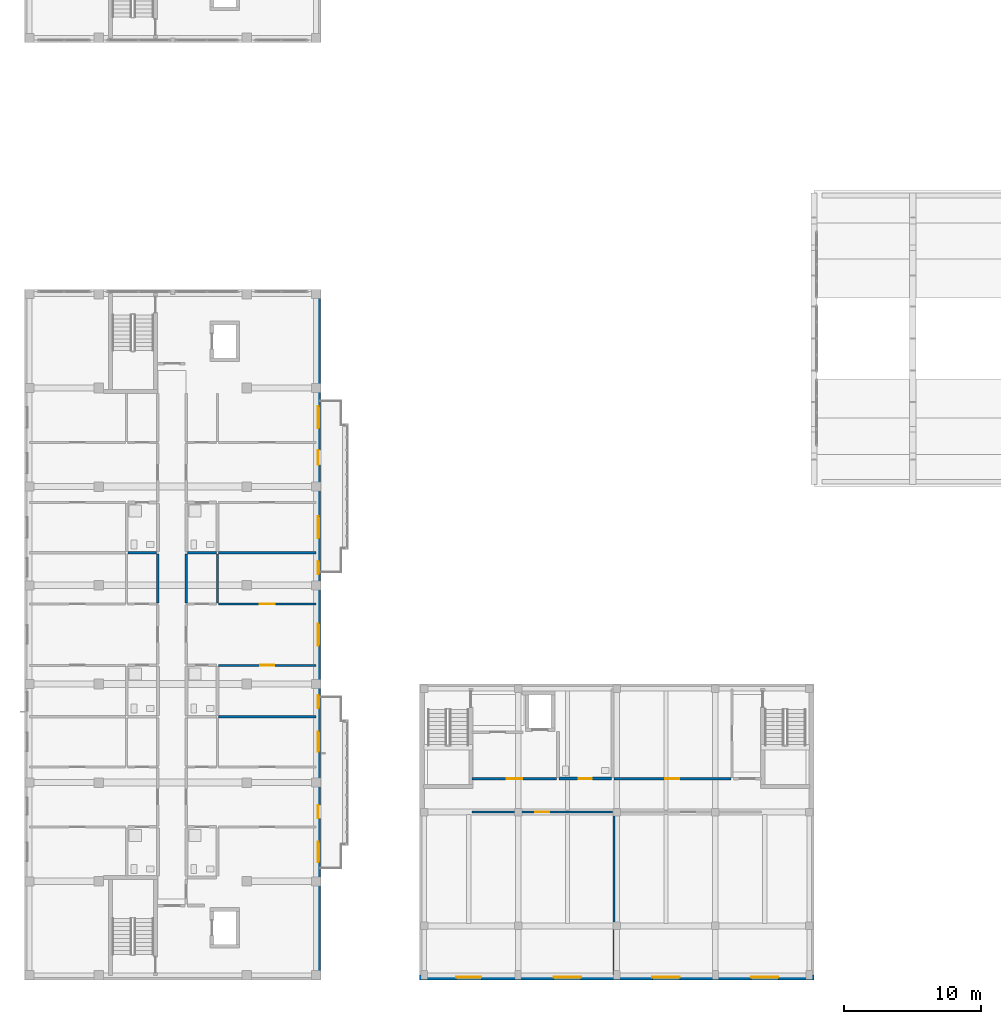
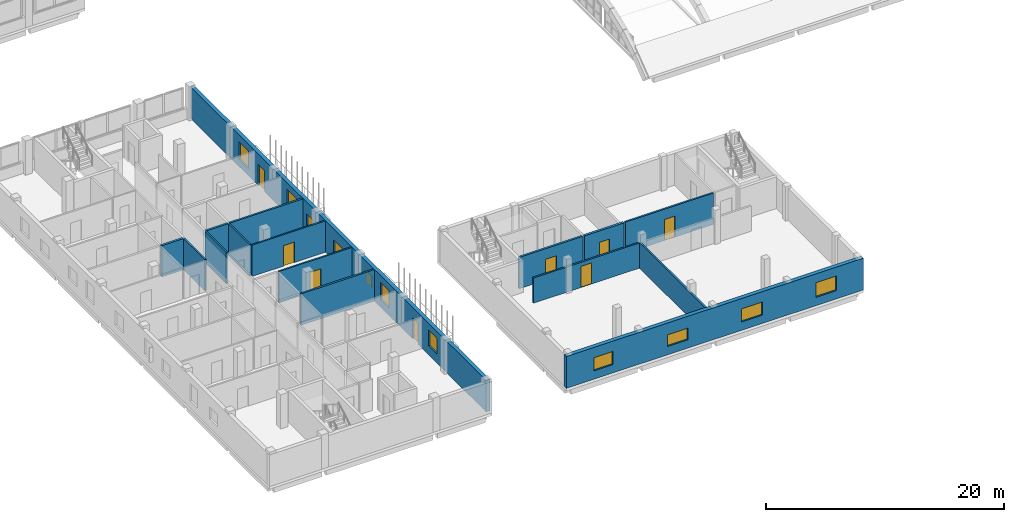
# One storey, part 37 of 73: 16 walls, 11 windows, 8 doors, 19 openings.
"""IFC4 building model written with IfcOpenShell, lengths in metres."""

from ifc_helpers import new_model, si_unit, derived_unit, direction, frame, frame_2d, origin, place, context, subcontext, project, spatial, rectangle, extrude, material, layer, layer_set, type_object, element, fill, save


model = new_model("IFC4")

# Units and contexts
model_context = context("Model", 3, precision=1e-05, world=origin(), true_north=direction((0.0, 1.0)))
body_context = subcontext(model_context, "Body", "Model", "MODEL_VIEW")
ifc_project = project(units=[si_unit("LENGTHUNIT", "METRE"), si_unit("AREAUNIT", "SQUARE_METRE"), si_unit("VOLUMEUNIT", "CUBIC_METRE"), si_unit("PLANEANGLEUNIT", "RADIAN"), si_unit("MASSUNIT", "GRAM", prefix="KILO"), derived_unit("THERMALTRANSMITTANCEUNIT", [(si_unit("MASSUNIT", "GRAM", prefix="KILO"), 1), (si_unit("TIMEUNIT", "SECOND"), -3), (si_unit("THERMODYNAMICTEMPERATUREUNIT", "KELVIN"), -1)])], contexts=[model_context])

# Site, building, storey
site_placement = place(None, origin())
site = spatial("IfcSite", under=ifc_project, at=site_placement, CompositionType="ELEMENT")
building_placement = place(site_placement, origin())
building = spatial("IfcBuilding", under=site, at=building_placement, Name="Ochrekiln Boulevard Commons", CompositionType="ELEMENT")
storey_placement = place(building_placement, frame((0.0, 0.0, 8.574951171875)))
storey = spatial("IfcBuildingStorey", under=building, at=storey_placement, Name="L02", CompositionType="ELEMENT", Elevation=8.574951171875)

# Wall, openings, windows
ifc_material_1 = material(Name="Desert ochre clinker brick masonry ASTM C216 Grade SW", Category="masonry")
ifc_layer_1 = layer(ifc_material_1, 0.3798828125)
ifc_layer_set_1 = layer_set([ifc_layer_1], Name="Desert ochre clinker brick masonry ASTM C216 Grade SW")
wall_type_1 = type_object("IfcWallType", Name="WL-EXT-ARC-380", PredefinedType="SOLIDWALL", material=ifc_layer_set_1)
wall_1_placement = place(storey_placement, frame((28.800048828125, 0.18994140625, 0.0), z_axis=(0.0, 0.0, 1.0), x_axis=(1.0, 0.0, 0.0)))
wall_1 = element("IfcWall", 1, at=wall_1_placement, inside=storey, type_object=wall_type_1, Name="West Boulevard Arcade L02 S Exterior Wall", PredefinedType="SOLIDWALL", context=body_context, shape_type="SweptSolid", body=[
    extrude(rectangle(XDim=28.800048828125, YDim=0.3798828125, at=frame_2d((14.39990234375, 0.0))), origin(), (0.0, 0.0, 1.0), 3.260009765625),
])
opening_1_placement = place(wall_1_placement, frame((2.675048828125, 0.0, 0.85009765625)))
opening_1 = element("IfcOpeningElement", 2, at=opening_1_placement, cuts=wall_1, Name="Opening W-42", PredefinedType="OPENING", context=body_context, shape_type="SweptSolid", body=[
    extrude(rectangle(XDim=1.85009765625, YDim=1.35009765625, at=frame_2d((0.925048828125, 0.675048828125))), frame((0.0, 0.199951171875, 0.0), z_axis=(0.0, -1.0, 0.0), x_axis=(1.0, 0.0, 0.0)), (0.0, 0.0, 1.0), 0.39990234375),
])
opening_2_placement = place(wall_1_placement, frame((9.800048828125, 0.0, 0.85009765625)))
opening_2 = element("IfcOpeningElement", 3, at=opening_2_placement, cuts=wall_1, Name="Opening W-46", PredefinedType="OPENING", context=body_context, shape_type="SweptSolid", body=[
    extrude(rectangle(XDim=2.0, YDim=1.199951171875, at=frame_2d((1.0, 0.60009765625))), frame((0.0, 0.199951171875, 0.0), z_axis=(0.0, -1.0, 0.0), x_axis=(1.0, 0.0, 0.0)), (0.0, 0.0, 1.0), 0.39990234375),
])
opening_3_placement = place(wall_1_placement, frame((17.0, 0.0, 0.85009765625)))
opening_3 = element("IfcOpeningElement", 4, at=opening_3_placement, cuts=wall_1, Name="Opening W-47", PredefinedType="OPENING", context=body_context, shape_type="SweptSolid", body=[
    extrude(rectangle(XDim=2.0, YDim=1.35009765625, at=frame_2d((1.0, 0.675048828125))), frame((0.0, 0.199951171875, 0.0), z_axis=(0.0, -1.0, 0.0), x_axis=(1.0, 0.0, 0.0)), (0.0, 0.0, 1.0), 0.39990234375),
])
opening_4_placement = place(wall_1_placement, frame((24.199951171875, 0.0, 0.85009765625)))
opening_4 = element("IfcOpeningElement", 5, at=opening_4_placement, cuts=wall_1, Name="Opening W-48", PredefinedType="OPENING", context=body_context, shape_type="SweptSolid", body=[
    extrude(rectangle(XDim=2.0, YDim=1.5, at=frame_2d((1.0, 0.75))), frame((0.0, 0.199951171875, 0.0), z_axis=(0.0, -1.0, 0.0), x_axis=(1.0, 0.0, 0.0)), (0.0, 0.0, 1.0), 0.39990234375),
])
ifc_material_2 = material(Name="Thermally broken aluminium-clad oak frame", Category="aluminium")
window_type_1 = type_object("IfcWindowType", Name="WIN-EXT-42", PartitioningType="DOUBLE_PANEL_VERTICAL", PredefinedType="WINDOW", material=ifc_material_2)
window_1_placement = place(opening_1_placement, origin())
window_1 = element("IfcWindow", 6, at=window_1_placement, inside=storey, type_object=window_type_1, Name="West Boulevard Arcade L02 Boulevard Ribbon Window 1", OverallHeight=1.35009765625, OverallWidth=1.85009765625, PartitioningType="DOUBLE_PANEL_VERTICAL", PredefinedType="WINDOW", context=body_context, shape_type="SweptSolid", body=[
    extrude(rectangle(XDim=1.85009765625, YDim=1.35009765625, at=frame_2d((0.925048828125, 0.675048828125))), frame((0.0, 0.030029296875, 0.0), z_axis=(0.0, -1.0, 0.0), x_axis=(1.0, 0.0, 0.0)), (0.0, 0.0, 1.0), 0.06005859375),
])
fill(opening_1, window_1)
window_type_2 = type_object("IfcWindowType", Name="WIN-EXT-46", PartitioningType="DOUBLE_PANEL_VERTICAL", PredefinedType="WINDOW", material=ifc_material_2)
window_2_placement = place(opening_2_placement, origin())
window_2 = element("IfcWindow", 7, at=window_2_placement, inside=storey, type_object=window_type_2, Name="West Boulevard Arcade L02 Boulevard Ribbon Window 2", OverallHeight=1.199951171875, OverallWidth=2.0, PartitioningType="DOUBLE_PANEL_VERTICAL", PredefinedType="WINDOW", context=body_context, shape_type="SweptSolid", body=[
    extrude(rectangle(XDim=2.0, YDim=1.199951171875, at=frame_2d((1.0, 0.60009765625))), frame((0.0, 0.030029296875, 0.0), z_axis=(0.0, -1.0, 0.0), x_axis=(1.0, 0.0, 0.0)), (0.0, 0.0, 1.0), 0.06005859375),
])
fill(opening_2, window_2)
window_type_3 = type_object("IfcWindowType", Name="WIN-EXT-47", PartitioningType="DOUBLE_PANEL_VERTICAL", PredefinedType="WINDOW", material=ifc_material_2)
window_3_placement = place(opening_3_placement, origin())
window_3 = element("IfcWindow", 8, at=window_3_placement, inside=storey, type_object=window_type_3, Name="West Boulevard Arcade L02 Boulevard Ribbon Window 3", OverallHeight=1.35009765625, OverallWidth=2.0, PartitioningType="DOUBLE_PANEL_VERTICAL", PredefinedType="WINDOW", context=body_context, shape_type="SweptSolid", body=[
    extrude(rectangle(XDim=2.0, YDim=1.35009765625, at=frame_2d((1.0, 0.675048828125))), frame((0.0, 0.030029296875, 0.0), z_axis=(0.0, -1.0, 0.0), x_axis=(1.0, 0.0, 0.0)), (0.0, 0.0, 1.0), 0.06005859375),
])
fill(opening_3, window_3)
window_type_4 = type_object("IfcWindowType", Name="WIN-EXT-48", PartitioningType="DOUBLE_PANEL_VERTICAL", PredefinedType="WINDOW", material=ifc_material_2)
window_4_placement = place(opening_4_placement, origin())
window_4 = element("IfcWindow", 9, at=window_4_placement, inside=storey, type_object=window_type_4, Name="West Boulevard Arcade L02 Boulevard Ribbon Window 4", OverallHeight=1.5, OverallWidth=2.0, PartitioningType="DOUBLE_PANEL_VERTICAL", PredefinedType="WINDOW", context=body_context, shape_type="SweptSolid", body=[
    extrude(rectangle(XDim=2.0, YDim=1.5, at=frame_2d((1.0, 0.75))), frame((0.0, 0.030029296875, 0.0), z_axis=(0.0, -1.0, 0.0), x_axis=(1.0, 0.0, 0.0)), (0.0, 0.0, 1.0), 0.06005859375),
])
fill(opening_4, window_4)

# Wall, openings, doors, windows
ifc_material_3 = material(Name="Iron-spot brown clinker brick masonry ASTM C216 Grade SW", Category="masonry")
ifc_layer_2 = layer(ifc_material_3, 0.364990234375)
ifc_layer_set_2 = layer_set([ifc_layer_2], Name="Iron-spot brown clinker brick masonry ASTM C216 Grade SW")
wall_type_2 = type_object("IfcWallType", Name="WL-EXT-IRON-365", PredefinedType="SOLIDWALL", material=ifc_layer_set_2)
wall_2_placement = place(storey_placement, frame((21.41748046875, 0.364990234375, 0.0), z_axis=(0.0, 0.0, 1.0), x_axis=(0.0, 1.0, 0.0)))
wall_2 = element("IfcWall", 10, at=wall_2_placement, inside=storey, type_object=wall_type_2, Name="Block D L02 E Exterior Wall", PredefinedType="SOLIDWALL", context=body_context, shape_type="SweptSolid", body=[
    extrude(rectangle(XDim=49.669921875, YDim=0.364990234375, at=frame_2d((24.8349609375, 0.0))), origin(), (0.0, 0.0, 1.0), 3.239990234375),
])
opening_5_placement = place(wall_2_placement, frame((11.43603515625, 0.0, 0.0)))
opening_5 = element("IfcOpeningElement", 11, at=opening_5_placement, cuts=wall_2, Name="Opening D-L02-BL041", PredefinedType="OPENING", context=body_context, shape_type="SweptSolid", body=[
    extrude(rectangle(XDim=0.949951171875, YDim=2.14990234375, at=frame_2d((0.47509765625, 1.074951171875))), frame((0.0, 0.1923828125, 0.0), z_axis=(0.0, -1.0, 0.0), x_axis=(1.0, 0.0, 0.0)), (0.0, 0.0, 1.0), 0.385009765625),
])
opening_6_placement = place(wall_2_placement, frame((8.240966796875, 0.0, 0.89990234375)))
opening_6 = element("IfcOpeningElement", 12, at=opening_6_placement, cuts=wall_2, Name="Opening W-29", PredefinedType="OPENING", context=body_context, shape_type="SweptSolid", body=[
    extrude(rectangle(XDim=1.47998046875, YDim=1.64990234375, at=frame_2d((0.739990234375, 0.824951171875))), frame((0.0, 0.1923828125, 0.0), z_axis=(0.0, -1.0, 0.0), x_axis=(1.0, 0.0, 0.0)), (0.0, 0.0, 1.0), 0.385009765625),
])
opening_7_placement = place(wall_2_placement, frame((16.27490234375, 0.0, 0.7548828125)))
opening_7 = element("IfcOpeningElement", 13, at=opening_7_placement, cuts=wall_2, Name="Opening W-30", PredefinedType="OPENING", context=body_context, shape_type="SweptSolid", body=[
    extrude(rectangle(XDim=1.47998046875, YDim=1.800048828125, at=frame_2d((0.739990234375, 0.89990234375))), frame((0.0, 0.1923828125, 0.0), z_axis=(0.0, -1.0, 0.0), x_axis=(1.0, 0.0, 0.0)), (0.0, 0.0, 1.0), 0.385009765625),
])
opening_8_placement = place(wall_2_placement, frame((24.034912109375, 0.0, 0.89990234375)))
opening_8 = element("IfcOpeningElement", 14, at=opening_8_placement, cuts=wall_2, Name="Opening W-31", PredefinedType="OPENING", context=body_context, shape_type="SweptSolid", body=[
    extrude(rectangle(XDim=1.60009765625, YDim=1.199951171875, at=frame_2d((0.800048828125, 0.60009765625))), frame((0.0, 0.1923828125, 0.0), z_axis=(0.0, -1.0, 0.0), x_axis=(1.0, 0.0, 0.0)), (0.0, 0.0, 1.0), 0.385009765625),
])
opening_9_placement = place(wall_2_placement, frame((19.47802734375, 0.0, 0.85009765625)))
opening_9 = element("IfcOpeningElement", 15, at=opening_9_placement, cuts=wall_2, Name="Opening W-01", PredefinedType="OPENING", context=body_context, shape_type="SweptSolid", body=[
    extrude(rectangle(XDim=0.949951171875, YDim=1.199951171875, at=frame_2d((0.47509765625, 0.60009765625))), frame((0.0, 0.1923828125, 0.0), z_axis=(0.0, -1.0, 0.0), x_axis=(1.0, 0.0, 0.0)), (0.0, 0.0, 1.0), 0.385009765625),
])
opening_10_placement = place(wall_2_placement, frame((29.241943359375, 0.0, 0.85009765625)))
opening_10 = element("IfcOpeningElement", 16, at=opening_10_placement, cuts=wall_2, Name="Opening W-01", PredefinedType="OPENING", context=body_context, shape_type="SweptSolid", body=[
    extrude(rectangle(XDim=0.949951171875, YDim=1.199951171875, at=frame_2d((0.47509765625, 0.60009765625))), frame((0.0, 0.1923828125, 0.0), z_axis=(0.0, -1.0, 0.0), x_axis=(1.0, 0.0, 0.0)), (0.0, 0.0, 1.0), 0.385009765625),
])
opening_11_placement = place(wall_2_placement, frame((37.218017578125, 0.0, 0.0)))
opening_11 = element("IfcOpeningElement", 17, at=opening_11_placement, cuts=wall_2, Name="Opening D-L02-BL042", PredefinedType="OPENING", context=body_context, shape_type="SweptSolid", body=[
    extrude(rectangle(XDim=1.080078125, YDim=2.179931640625, at=frame_2d((0.5400390625, 1.08984375))), frame((0.0, 0.1923828125, 0.0), z_axis=(0.0, -1.0, 0.0), x_axis=(1.0, 0.0, 0.0)), (0.0, 0.0, 1.0), 0.385009765625),
])
opening_12_placement = place(wall_2_placement, frame((31.85595703125, 0.0, 0.89990234375)))
opening_12 = element("IfcOpeningElement", 18, at=opening_12_placement, cuts=wall_2, Name="Opening W-34", PredefinedType="OPENING", context=body_context, shape_type="SweptSolid", body=[
    extrude(rectangle(XDim=1.60009765625, YDim=1.64990234375, at=frame_2d((0.800048828125, 0.824951171875))), frame((0.0, 0.1923828125, 0.0), z_axis=(0.0, -1.0, 0.0), x_axis=(1.0, 0.0, 0.0)), (0.0, 0.0, 1.0), 0.385009765625),
])
opening_13_placement = place(wall_2_placement, frame((39.888916015625, 0.0, 0.7548828125)))
opening_13 = element("IfcOpeningElement", 19, at=opening_13_placement, cuts=wall_2, Name="Opening W-35", PredefinedType="OPENING", context=body_context, shape_type="SweptSolid", body=[
    extrude(rectangle(XDim=1.60009765625, YDim=1.800048828125, at=frame_2d((0.800048828125, 0.89990234375))), frame((0.0, 0.1923828125, 0.0), z_axis=(0.0, -1.0, 0.0), x_axis=(1.0, 0.0, 0.0)), (0.0, 0.0, 1.0), 0.385009765625),
])
door_type_1 = type_object("IfcDoorType", Name="DR-EXT-BAL-095", OperationType="NOTDEFINED", PredefinedType="DOOR", material=ifc_material_2)
door_1_placement = place(opening_5_placement, frame((0.949951171875, 0.0, 0.0), z_axis=(0.0, 0.0, 1.0), x_axis=(-1.0, 0.0, 0.0)))
door_1 = element("IfcDoor", 20, at=door_1_placement, inside=storey, type_object=door_type_1, Name="Block D L02 Glazed Balcony Patio Door", OperationType="SINGLE_SWING_RIGHT", OverallHeight=2.14990234375, OverallWidth=0.949951171875, PredefinedType="DOOR", context=body_context, shape_type="SweptSolid", body=[
    extrude(rectangle(XDim=0.949951171875, YDim=2.14990234375, at=frame_2d((0.47509765625, 1.074951171875))), frame((0.0, 0.02490234375, 0.0), z_axis=(0.0, -1.0, 0.0), x_axis=(1.0, 0.0, 0.0)), (0.0, 0.0, 1.0), 0.050048828125),
])
fill(opening_5, door_1)
door_type_2 = type_object("IfcDoorType", Name="DR-EXT-BAL-108", OperationType="NOTDEFINED", PredefinedType="DOOR", material=ifc_material_2)
door_2_placement = place(opening_11_placement, frame((1.080078125, 0.0, 0.0), z_axis=(0.0, 0.0, 1.0), x_axis=(-1.0, 0.0, 0.0)))
door_2 = element("IfcDoor", 21, at=door_2_placement, inside=storey, type_object=door_type_2, Name="Block D L02 Glazed Balcony Patio Door", OperationType="SINGLE_SWING_LEFT", OverallHeight=2.179931640625, OverallWidth=1.080078125, PredefinedType="DOOR", context=body_context, shape_type="SweptSolid", body=[
    extrude(rectangle(XDim=1.080078125, YDim=2.179931640625, at=frame_2d((0.5400390625, 1.08984375))), frame((0.0, 0.02490234375, 0.0), z_axis=(0.0, -1.0, 0.0), x_axis=(1.0, 0.0, 0.0)), (0.0, 0.0, 1.0), 0.050048828125),
])
fill(opening_11, door_2)
window_type_5 = type_object("IfcWindowType", Name="WIN-EXT-01", PartitioningType="SINGLE_PANEL", PredefinedType="WINDOW", material=ifc_material_2)
window_5_placement = place(opening_9_placement, origin())
window_5 = element("IfcWindow", 22, at=window_5_placement, inside=storey, type_object=window_type_5, Name="Block D L02 Punched Masonry Window W-01", OverallHeight=1.199951171875, OverallWidth=0.949951171875, PartitioningType="SINGLE_PANEL", PredefinedType="WINDOW", context=body_context, shape_type="SweptSolid", body=[
    extrude(rectangle(XDim=0.949951171875, YDim=1.199951171875, at=frame_2d((0.47509765625, 0.60009765625))), frame((0.0, 0.030029296875, 0.0), z_axis=(0.0, -1.0, 0.0), x_axis=(1.0, 0.0, 0.0)), (0.0, 0.0, 1.0), 0.06005859375),
])
fill(opening_9, window_5)
window_6_placement = place(opening_10_placement, origin())
window_6 = element("IfcWindow", 23, at=window_6_placement, inside=storey, type_object=window_type_5, Name="Block D L02 Punched Masonry Window W-01", OverallHeight=1.199951171875, OverallWidth=0.949951171875, PartitioningType="SINGLE_PANEL", PredefinedType="WINDOW", context=body_context, shape_type="SweptSolid", body=[
    extrude(rectangle(XDim=0.949951171875, YDim=1.199951171875, at=frame_2d((0.47509765625, 0.60009765625))), frame((0.0, 0.030029296875, 0.0), z_axis=(0.0, -1.0, 0.0), x_axis=(1.0, 0.0, 0.0)), (0.0, 0.0, 1.0), 0.06005859375),
])
fill(opening_10, window_6)
window_type_6 = type_object("IfcWindowType", Name="WIN-EXT-29", PartitioningType="SINGLE_PANEL", PredefinedType="WINDOW", material=ifc_material_2)
window_7_placement = place(opening_6_placement, origin())
window_7 = element("IfcWindow", 24, at=window_7_placement, inside=storey, type_object=window_type_6, Name="Block D L02 Punched Masonry Window W-29", OverallHeight=1.64990234375, OverallWidth=1.47998046875, PartitioningType="SINGLE_PANEL", PredefinedType="WINDOW", context=body_context, shape_type="SweptSolid", body=[
    extrude(rectangle(XDim=1.47998046875, YDim=1.64990234375, at=frame_2d((0.739990234375, 0.824951171875))), frame((0.0, 0.030029296875, 0.0), z_axis=(0.0, -1.0, 0.0), x_axis=(1.0, 0.0, 0.0)), (0.0, 0.0, 1.0), 0.06005859375),
])
fill(opening_6, window_7)
window_type_7 = type_object("IfcWindowType", Name="WIN-EXT-30", PartitioningType="SINGLE_PANEL", PredefinedType="WINDOW", material=ifc_material_2)
window_8_placement = place(opening_7_placement, origin())
window_8 = element("IfcWindow", 25, at=window_8_placement, inside=storey, type_object=window_type_7, Name="Block D L02 Punched Masonry Window W-30", OverallHeight=1.800048828125, OverallWidth=1.47998046875, PartitioningType="SINGLE_PANEL", PredefinedType="WINDOW", context=body_context, shape_type="SweptSolid", body=[
    extrude(rectangle(XDim=1.47998046875, YDim=1.800048828125, at=frame_2d((0.739990234375, 0.89990234375))), frame((0.0, 0.030029296875, 0.0), z_axis=(0.0, -1.0, 0.0), x_axis=(1.0, 0.0, 0.0)), (0.0, 0.0, 1.0), 0.06005859375),
])
fill(opening_7, window_8)
window_type_8 = type_object("IfcWindowType", Name="WIN-EXT-31", PartitioningType="DOUBLE_PANEL_VERTICAL", PredefinedType="WINDOW", material=ifc_material_2)
window_9_placement = place(opening_8_placement, origin())
window_9 = element("IfcWindow", 26, at=window_9_placement, inside=storey, type_object=window_type_8, Name="Block D L02 Punched Masonry Window W-31", OverallHeight=1.199951171875, OverallWidth=1.60009765625, PartitioningType="DOUBLE_PANEL_VERTICAL", PredefinedType="WINDOW", context=body_context, shape_type="SweptSolid", body=[
    extrude(rectangle(XDim=1.60009765625, YDim=1.199951171875, at=frame_2d((0.800048828125, 0.60009765625))), frame((0.0, 0.030029296875, 0.0), z_axis=(0.0, -1.0, 0.0), x_axis=(1.0, 0.0, 0.0)), (0.0, 0.0, 1.0), 0.06005859375),
])
fill(opening_8, window_9)
window_type_9 = type_object("IfcWindowType", Name="WIN-EXT-34", PartitioningType="DOUBLE_PANEL_VERTICAL", PredefinedType="WINDOW", material=ifc_material_2)
window_10_placement = place(opening_12_placement, origin())
window_10 = element("IfcWindow", 27, at=window_10_placement, inside=storey, type_object=window_type_9, Name="Block D L02 Punched Masonry Window W-34", OverallHeight=1.64990234375, OverallWidth=1.60009765625, PartitioningType="DOUBLE_PANEL_VERTICAL", PredefinedType="WINDOW", context=body_context, shape_type="SweptSolid", body=[
    extrude(rectangle(XDim=1.60009765625, YDim=1.64990234375, at=frame_2d((0.800048828125, 0.824951171875))), frame((0.0, 0.030029296875, 0.0), z_axis=(0.0, -1.0, 0.0), x_axis=(1.0, 0.0, 0.0)), (0.0, 0.0, 1.0), 0.06005859375),
])
fill(opening_12, window_10)
window_type_10 = type_object("IfcWindowType", Name="WIN-EXT-35", PartitioningType="DOUBLE_PANEL_VERTICAL", PredefinedType="WINDOW", material=ifc_material_2)
window_11_placement = place(opening_13_placement, origin())
window_11 = element("IfcWindow", 28, at=window_11_placement, inside=storey, type_object=window_type_10, Name="Block D L02 Punched Masonry Window W-35", OverallHeight=1.800048828125, OverallWidth=1.60009765625, PartitioningType="DOUBLE_PANEL_VERTICAL", PredefinedType="WINDOW", context=body_context, shape_type="SweptSolid", body=[
    extrude(rectangle(XDim=1.60009765625, YDim=1.800048828125, at=frame_2d((0.800048828125, 0.89990234375))), frame((0.0, 0.030029296875, 0.0), z_axis=(0.0, -1.0, 0.0), x_axis=(1.0, 0.0, 0.0)), (0.0, 0.0, 1.0), 0.06005859375),
])
fill(opening_13, window_11)

# Walls
ifc_material_4 = material(Name="Moisture-resistant cementitious tile backer wall")
ifc_layer_3 = layer(ifc_material_4, 0.199951171875)
ifc_layer_set_3 = layer_set([ifc_layer_3], Name="Moisture-resistant cementitious tile backer wall")
wall_type_3 = type_object("IfcWallType", Name="WL-PLM-200", PredefinedType="PLUMBINGWALL", material=ifc_layer_set_3)
wall_3_placement = place(storey_placement, frame((7.52001953125, 31.18408203125, 0.0), z_axis=(0.0, 0.0, 1.0), x_axis=(1.0, 0.0, 0.0)))
element("IfcWall", 29, at=wall_3_placement, inside=storey, type_object=wall_type_3, Name="L02 Interior Wall W-PW200", PredefinedType="PLUMBINGWALL", context=body_context, shape_type="SweptSolid", body=[
    extrude(rectangle(XDim=2.10791015625, YDim=0.199951171875, at=frame_2d((1.053955078125, 0.0))), origin(), (0.0, 0.0, 1.0), 3.219970703125),
])
wall_4_placement = place(storey_placement, frame((11.8720703125, 31.18408203125, 0.0), z_axis=(0.0, 0.0, 1.0), x_axis=(1.0, 0.0, 0.0)))
element("IfcWall", 30, at=wall_4_placement, inside=storey, type_object=wall_type_3, Name="L02 Interior Wall W-PW200", PredefinedType="PLUMBINGWALL", context=body_context, shape_type="SweptSolid", body=[
    extrude(rectangle(XDim=2.113037109375, YDim=0.199951171875, at=frame_2d((1.056640625, 0.0))), origin(), (0.0, 0.0, 1.0), 3.219970703125),
])

# Wall, opening, door
ifc_layer_4 = layer(ifc_material_4, 0.219970703125)
ifc_layer_set_4 = layer_set([ifc_layer_4], Name="Moisture-resistant cementitious tile backer wall")
wall_type_4 = type_object("IfcWallType", Name="WL-PLM-220", PredefinedType="PLUMBINGWALL", material=ifc_layer_set_4)
wall_5_placement = place(storey_placement, frame((39.0, 14.68994140625, 0.0), z_axis=(0.0, 0.0, 1.0), x_axis=(1.0, 0.0, 0.0)))
wall_5 = element("IfcWall", 31, at=wall_5_placement, inside=storey, type_object=wall_type_4, Name="L02 Interior Wall W-PW220", PredefinedType="PLUMBINGWALL", context=body_context, shape_type="SweptSolid", body=[
    extrude(rectangle(XDim=3.800048828125, YDim=0.219970703125, at=frame_2d((1.89990234375, 0.0))), origin(), (0.0, 0.0, 1.0), 3.219970703125),
])
opening_14_placement = place(wall_5_placement, frame((1.419921875, 0.0, 0.0)))
opening_14 = element("IfcOpeningElement", 32, at=opening_14_placement, cuts=wall_5, Name="Opening D-L02-435", PredefinedType="OPENING", context=body_context, shape_type="SweptSolid", body=[
    extrude(rectangle(XDim=0.9599609375, YDim=2.050048828125, at=frame_2d((0.47998046875, 1.02490234375))), frame((0.0, 0.119873046875, 0.0), z_axis=(0.0, -1.0, 0.0), x_axis=(1.0, 0.0, 0.0)), (0.0, 0.0, 1.0), 0.239990234375),
])
ifc_material_5 = material(Name="Solid core architectural oak door leaf")
door_type_3 = type_object("IfcDoorType", Name="DR-INT-ADA-096", OperationType="NOTDEFINED", PredefinedType="DOOR", material=ifc_material_5)
door_3_placement = place(opening_14_placement, origin())
door_3 = element("IfcDoor", 33, at=door_3_placement, inside=storey, type_object=door_type_3, Name="L02 Interior Door to Studio Accessible Washroom and WC", OperationType="SINGLE_SWING_LEFT", OverallHeight=2.050048828125, OverallWidth=0.9599609375, PredefinedType="DOOR", context=body_context, shape_type="SweptSolid", body=[
    extrude(rectangle(XDim=0.9599609375, YDim=2.050048828125, at=frame_2d((0.47998046875, 1.02490234375))), frame((0.0, 0.02490234375, 0.0), z_axis=(0.0, -1.0, 0.0), x_axis=(1.0, 0.0, 0.0)), (0.0, 0.0, 1.0), 0.050048828125),
])
fill(opening_14, door_3)

# Walls
ifc_material_6 = material(Name="Fire-rated Type X gypsum board on steel studs", Category="steel")
ifc_layer_5 = layer(ifc_material_6, 0.169921875)
ifc_layer_set_5 = layer_set([ifc_layer_5], Name="Fire-rated Type X gypsum board on steel studs")
wall_type_5 = type_object("IfcWallType", Name="WL-PT-CIV-170", PredefinedType="PARTITIONING", material=ifc_layer_set_5)
wall_6_placement = place(storey_placement, frame((43.0, 0.3798828125, 0.0), z_axis=(0.0, 0.0, 1.0), x_axis=(0.0, 1.0, 0.0)))
element("IfcWall", 34, at=wall_6_placement, inside=storey, type_object=wall_type_5, Name="L02 Interior Wall W-PV170", PredefinedType="PARTITIONING", context=body_context, shape_type="SweptSolid", body=[
    extrude(rectangle(XDim=11.7880859375, YDim=0.169921875, at=frame_2d((5.89404296875, 0.0))), origin(), (0.0, 0.0, 1.0), 2.630126953125),
])
ifc_layer_6 = layer(ifc_material_6, 0.1650390625)
ifc_layer_set_6 = layer_set([ifc_layer_6], Name="Fire-rated Type X gypsum board on steel studs")
wall_type_6 = type_object("IfcWallType", Name="WL-PT-CORR-165", PredefinedType="PARTITIONING", material=ifc_layer_set_6)
for number, where, z_axis, x_axis, name in (
    (35, (9.7099609375, 27.52001953125, 0.0), (0.0, 0.0, 1.0), (0.0, 1.0, 0.0), "L02 Interior Wall W-PC165"),
    (36, (11.7900390625, 27.52001953125, 0.0), (0.0, 0.0, 1.0), (0.0, 1.0, 0.0), "L02 Interior Wall W-PC165"),
):
    element("IfcWall", number, at=place(storey_placement, frame(where, z_axis=z_axis, x_axis=x_axis)), inside=storey, type_object=wall_type_6, Name=name, PredefinedType="PARTITIONING", context=body_context, shape_type="SweptSolid", body=[
        extrude(rectangle(XDim=3.573974609375, YDim=0.1650390625, at=frame_2d((1.787109375, 0.0))), origin(), (0.0, 0.0, 1.0), 3.219970703125),
    ])

# Wall, opening, door
wall_7_placement = place(storey_placement, frame((32.64990234375, 12.25, 0.0), z_axis=(0.0, 0.0, 1.0), x_axis=(1.0, 0.0, 0.0)))
wall_7 = element("IfcWall", 37, at=wall_7_placement, inside=storey, type_object=wall_type_6, Name="L02 Interior Wall W-PC165", PredefinedType="PARTITIONING", context=body_context, shape_type="SweptSolid", body=[
    extrude(rectangle(XDim=10.25, YDim=0.1650390625, at=frame_2d((5.125, 0.0))), origin(), (0.0, 0.0, 1.0), 2.580078125),
])
opening_15_placement = place(wall_7_placement, frame((4.614990234375, 0.0, 0.0)))
opening_15 = element("IfcOpeningElement", 38, at=opening_15_placement, cuts=wall_7, Name="Opening D-L02-433", PredefinedType="OPENING", context=body_context, shape_type="SweptSolid", body=[
    extrude(rectangle(XDim=1.02001953125, YDim=2.159912109375, at=frame_2d((0.510009765625, 1.080078125))), frame((0.0, 0.092529296875, 0.0), z_axis=(0.0, -1.0, 0.0), x_axis=(1.0, 0.0, 0.0)), (0.0, 0.0, 1.0), 0.18505859375),
])
door_type_4 = type_object("IfcDoorType", Name="DR-INT-CIV-102", OperationType="NOTDEFINED", PredefinedType="DOOR", material=ifc_material_5)
door_4_placement = place(opening_15_placement, frame((1.02001953125, 0.0, 0.0), z_axis=(0.0, 0.0, 1.0), x_axis=(-1.0, 0.0, 0.0)))
door_4 = element("IfcDoor", 39, at=door_4_placement, inside=storey, type_object=door_type_4, Name="L02 Interior Door to Community Co-Working Studio", OperationType="SINGLE_SWING_LEFT", OverallHeight=2.159912109375, OverallWidth=1.02001953125, PredefinedType="DOOR", context=body_context, shape_type="SweptSolid", body=[
    extrude(rectangle(XDim=1.02001953125, YDim=2.159912109375, at=frame_2d((0.510009765625, 1.080078125))), frame((0.0, 0.02490234375, 0.0), z_axis=(0.0, -1.0, 0.0), x_axis=(1.0, 0.0, 0.0)), (0.0, 0.0, 1.0), 0.050048828125),
])
fill(opening_15, door_4)

wall_8_placement = place(storey_placement, frame((42.97998046875, 14.68994140625, 0.0), z_axis=(0.0, 0.0, 1.0), x_axis=(1.0, 0.0, 0.0)))
wall_8 = element("IfcWall", 40, at=wall_8_placement, inside=storey, type_object=wall_type_6, Name="L02 Interior Wall W-PC165", PredefinedType="PARTITIONING", context=body_context, shape_type="SweptSolid", body=[
    extrude(rectangle(XDim=8.5400390625, YDim=0.1650390625, at=frame_2d((4.27001953125, 0.0))), origin(), (0.0, 0.0, 1.0), 3.219970703125),
])
opening_16_placement = place(wall_8_placement, frame((3.760009765625, 0.0, 0.0)))
opening_16 = element("IfcOpeningElement", 41, at=opening_16_placement, cuts=wall_8, Name="Opening D-L02-436", PredefinedType="OPENING", context=body_context, shape_type="SweptSolid", body=[
    extrude(rectangle(XDim=1.02001953125, YDim=2.159912109375, at=frame_2d((0.510009765625, 1.080078125))), frame((0.0, 0.092529296875, 0.0), z_axis=(0.0, -1.0, 0.0), x_axis=(1.0, 0.0, 0.0)), (0.0, 0.0, 1.0), 0.18505859375),
])
door_5_placement = place(opening_16_placement, origin())
door_5 = element("IfcDoor", 42, at=door_5_placement, inside=storey, type_object=door_type_4, Name="L02 Interior Door to Community Craft Room", OperationType="SINGLE_SWING_RIGHT", OverallHeight=2.159912109375, OverallWidth=1.02001953125, PredefinedType="DOOR", context=body_context, shape_type="SweptSolid", body=[
    extrude(rectangle(XDim=1.02001953125, YDim=2.159912109375, at=frame_2d((0.510009765625, 1.080078125))), frame((0.0, 0.02490234375, 0.0), z_axis=(0.0, -1.0, 0.0), x_axis=(1.0, 0.0, 0.0)), (0.0, 0.0, 1.0), 0.050048828125),
])
fill(opening_16, door_5)

# Walls
ifc_layer_7 = layer(ifc_material_6, 0.179931640625)
ifc_layer_set_7 = layer_set([ifc_layer_7], Name="Fire-rated Type X gypsum board on steel studs")
wall_type_7 = type_object("IfcWallType", Name="WL-PT-DEM-180", PredefinedType="PARTITIONING", material=ifc_layer_set_7)
for number, where, z_axis, x_axis, name in (
    (43, (14.135009765625, 19.216064453125, 0.0), (0.0, 0.0, 1.0), (1.0, 0.0, 0.0), "L02 Interior Wall W-PD180"),
    (44, (14.135009765625, 31.18408203125, 0.0), (0.0, 0.0, 1.0), (1.0, 0.0, 0.0), "L02 Interior Wall W-PD180"),
):
    element("IfcWall", number, at=place(storey_placement, frame(where, z_axis=z_axis, x_axis=x_axis)), inside=storey, type_object=wall_type_7, Name=name, PredefinedType="PARTITIONING", context=body_context, shape_type="SweptSolid", body=[
        extrude(rectangle(XDim=7.114990234375, YDim=0.179931640625, at=frame_2d((3.5576171875, 0.0))), origin(), (0.0, 0.0, 1.0), 3.219970703125),
    ])

# Wall, opening, door
ifc_layer_8 = layer(ifc_material_6, 0.18994140625)
ifc_layer_set_8 = layer_set([ifc_layer_8], Name="Fire-rated Type X gypsum board on steel studs")
wall_type_8 = type_object("IfcWallType", Name="WL-PT-LBY-190", PredefinedType="PARTITIONING", material=ifc_layer_set_8)
wall_9_placement = place(storey_placement, frame((32.64990234375, 14.68994140625, 0.0), z_axis=(0.0, 0.0, 1.0), x_axis=(1.0, 0.0, 0.0)))
wall_9 = element("IfcWall", 45, at=wall_9_placement, inside=storey, type_object=wall_type_8, Name="L02 Interior Wall W-PL190", PredefinedType="PARTITIONING", context=body_context, shape_type="SweptSolid", body=[
    extrude(rectangle(XDim=6.170166015625, YDim=0.18994140625, at=frame_2d((3.0849609375, 0.0))), origin(), (0.0, 0.0, 1.0), 3.219970703125),
])
opening_17_placement = place(wall_9_placement, frame((2.534912109375, 0.0, 0.0)))
opening_17 = element("IfcOpeningElement", 46, at=opening_17_placement, cuts=wall_9, Name="Opening D-L02-431", PredefinedType="OPENING", context=body_context, shape_type="SweptSolid", body=[
    extrude(rectangle(XDim=1.10009765625, YDim=2.1201171875, at=frame_2d((0.550048828125, 1.06005859375))), frame((0.0, 0.10498046875, 0.0), z_axis=(0.0, -1.0, 0.0), x_axis=(1.0, 0.0, 0.0)), (0.0, 0.0, 1.0), 0.2099609375),
])
ifc_material_7 = material(Name="Hollow metal fire-rated steel door assembly", Category="steel")
door_type_5 = type_object("IfcDoorType", Name="DR-LOBBY-60", OperationType="NOTDEFINED", PredefinedType="DOOR", material=ifc_material_7)
door_6_placement = place(opening_17_placement, origin())
door_6 = element("IfcDoor", 47, at=door_6_placement, inside=storey, type_object=door_type_5, Name="L02 Interior Door to Passenger Elevator Lobby", OperationType="SINGLE_SWING_LEFT", OverallHeight=2.1201171875, OverallWidth=1.10009765625, PredefinedType="DOOR", context=body_context, shape_type="SweptSolid", body=[
    extrude(rectangle(XDim=1.10009765625, YDim=2.1201171875, at=frame_2d((0.550048828125, 1.06005859375))), frame((0.0, 0.02490234375, 0.0), z_axis=(0.0, -1.0, 0.0), x_axis=(1.0, 0.0, 0.0)), (0.0, 0.0, 1.0), 0.050048828125),
])
fill(opening_17, door_6)

ifc_layer_9 = layer(ifc_material_6, 0.14990234375)
ifc_layer_set_9 = layer_set([ifc_layer_9], Name="Fire-rated Type X gypsum board on steel studs")
wall_type_9 = type_object("IfcWallType", Name="WL-PT-STD-150", PredefinedType="PARTITIONING", material=ifc_layer_set_9)
wall_10_placement = place(storey_placement, frame((14.139892578125, 22.9599609375, 0.0), z_axis=(0.0, 0.0, 1.0), x_axis=(1.0, 0.0, 0.0)))
wall_10 = element("IfcWall", 48, at=wall_10_placement, inside=storey, type_object=wall_type_9, Name="L02 Interior Wall W-PS150", PredefinedType="PARTITIONING", context=body_context, shape_type="SweptSolid", body=[
    extrude(rectangle(XDim=7.110107421875, YDim=0.14990234375, at=frame_2d((3.55517578125, 0.0))), origin(), (0.0, 0.0, 1.0), 3.219970703125),
])
opening_18_placement = place(wall_10_placement, frame((3.034912109375, 0.0, 0.0)))
opening_18 = element("IfcOpeningElement", 49, at=opening_18_placement, cuts=wall_10, Name="Opening D-L02-424", PredefinedType="OPENING", context=body_context, shape_type="SweptSolid", body=[
    extrude(rectangle(XDim=1.0400390625, YDim=2.080078125, at=frame_2d((0.52001953125, 1.0400390625))), frame((0.0, 0.0849609375, 0.0), z_axis=(0.0, -1.0, 0.0), x_axis=(1.0, 0.0, 0.0)), (0.0, 0.0, 1.0), 0.169921875),
])
door_type_6 = type_object("IfcDoorType", Name="DR-INT-BED-104", OperationType="NOTDEFINED", PredefinedType="DOOR", material=ifc_material_5)
door_7_placement = place(opening_18_placement, frame((1.0400390625, 0.0, 0.0), z_axis=(0.0, 0.0, 1.0), x_axis=(-1.0, 0.0, 0.0)))
door_7 = element("IfcDoor", 50, at=door_7_placement, inside=storey, type_object=door_type_6, Name="L02 Interior Door to Primary Apartment Bedroom", OperationType="SINGLE_SWING_RIGHT", OverallHeight=2.080078125, OverallWidth=1.0400390625, PredefinedType="DOOR", context=body_context, shape_type="SweptSolid", body=[
    extrude(rectangle(XDim=1.0400390625, YDim=2.080078125, at=frame_2d((0.52001953125, 1.0400390625))), frame((0.0, 0.02490234375, 0.0), z_axis=(0.0, -1.0, 0.0), x_axis=(1.0, 0.0, 0.0)), (0.0, 0.0, 1.0), 0.050048828125),
])
fill(opening_18, door_7)

wall_11_placement = place(storey_placement, frame((14.139892578125, 27.43994140625, 0.0), z_axis=(0.0, 0.0, 1.0), x_axis=(1.0, 0.0, 0.0)))
wall_11 = element("IfcWall", 51, at=wall_11_placement, inside=storey, type_object=wall_type_9, Name="L02 Interior Wall W-PS150", PredefinedType="PARTITIONING", context=body_context, shape_type="SweptSolid", body=[
    extrude(rectangle(XDim=7.110107421875, YDim=0.14990234375, at=frame_2d((3.55517578125, 0.0))), origin(), (0.0, 0.0, 1.0), 3.219970703125),
])
opening_19_placement = place(wall_11_placement, frame((3.014892578125, 0.0, 0.0)))
opening_19 = element("IfcOpeningElement", 52, at=opening_19_placement, cuts=wall_11, Name="Opening D-L02-425", PredefinedType="OPENING", context=body_context, shape_type="SweptSolid", body=[
    extrude(rectangle(XDim=1.080078125, YDim=2.10009765625, at=frame_2d((0.5400390625, 1.050048828125))), frame((0.0, 0.0849609375, 0.0), z_axis=(0.0, -1.0, 0.0), x_axis=(1.0, 0.0, 0.0)), (0.0, 0.0, 1.0), 0.169921875),
])
door_type_7 = type_object("IfcDoorType", Name="DR-INT-BED-108", OperationType="NOTDEFINED", PredefinedType="DOOR", material=ifc_material_5)
door_8_placement = place(opening_19_placement, origin())
door_8 = element("IfcDoor", 53, at=door_8_placement, inside=storey, type_object=door_type_7, Name="L02 Interior Door to Secondary Apartment Bedroom", OperationType="SINGLE_SWING_LEFT", OverallHeight=2.10009765625, OverallWidth=1.080078125, PredefinedType="DOOR", context=body_context, shape_type="SweptSolid", body=[
    extrude(rectangle(XDim=1.080078125, YDim=2.10009765625, at=frame_2d((0.5400390625, 1.050048828125))), frame((0.0, 0.02490234375, 0.0), z_axis=(0.0, -1.0, 0.0), x_axis=(1.0, 0.0, 0.0)), (0.0, 0.0, 1.0), 0.050048828125),
])
fill(opening_19, door_8)

# Wall
wall_12_placement = place(storey_placement, frame((14.06005859375, 27.5, 0.0), z_axis=(0.0, 0.0, 1.0), x_axis=(0.0, 1.0, 0.0)))
element("IfcWall", 54, at=wall_12_placement, inside=storey, type_object=wall_type_9, Name="L02 Interior Wall W-PS150", PredefinedType="PARTITIONING", context=body_context, shape_type="SweptSolid", body=[
    extrude(rectangle(XDim=3.593994140625, YDim=0.14990234375, at=frame_2d((1.796875, 0.0))), origin(), (0.0, 0.0, 1.0), 3.219970703125),
])

save(model, "model.ifc")
